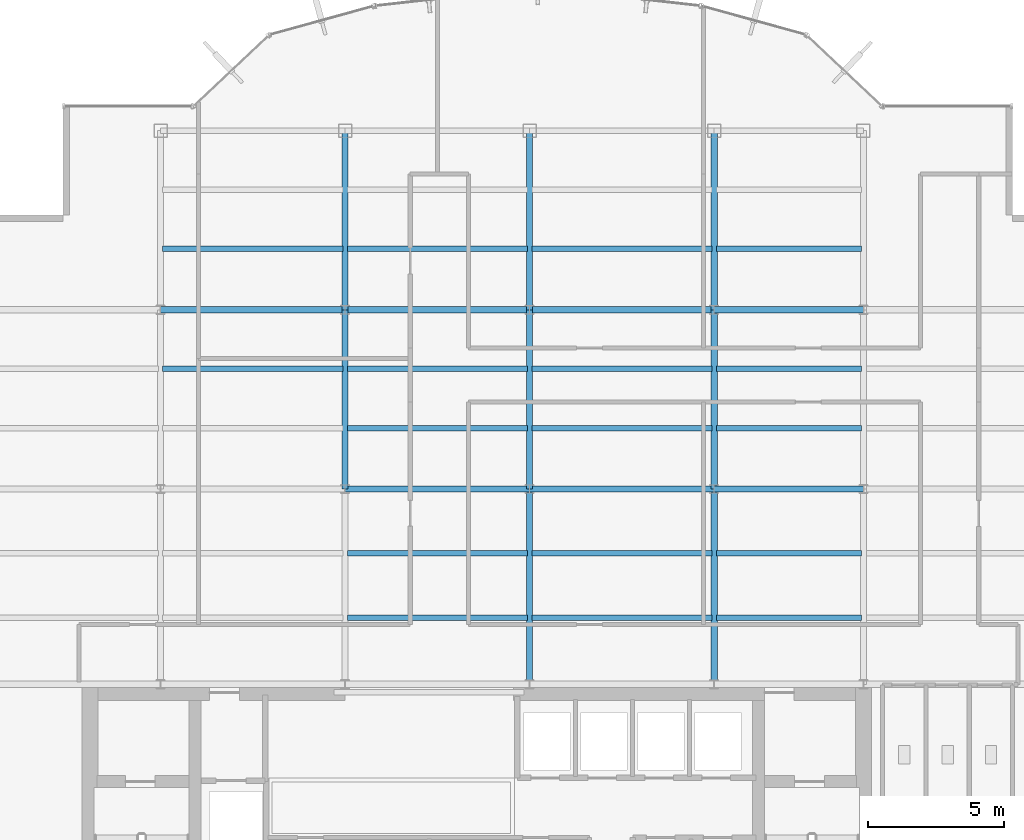
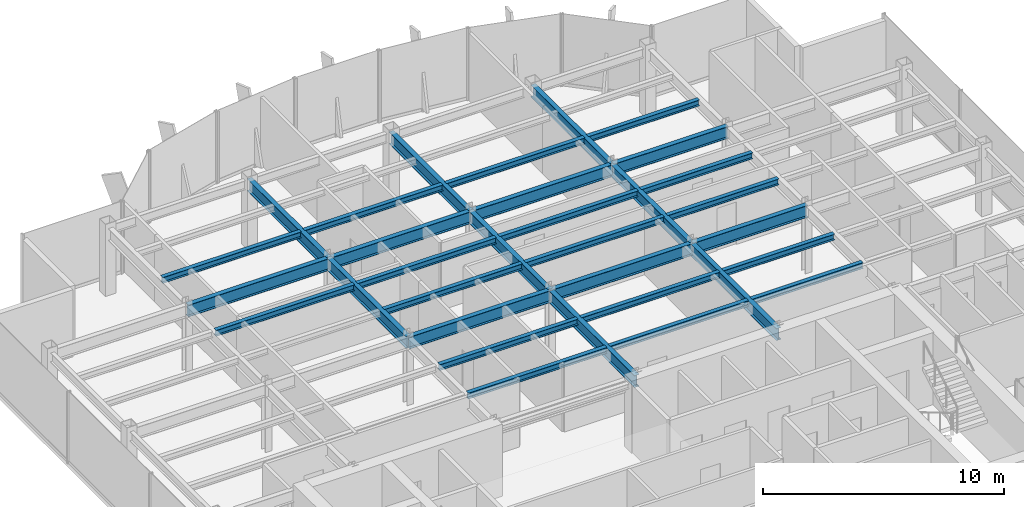
# One storey, part 8 of 22: 32 beams.
"""IFC4 building model written with IfcOpenShell, lengths in metres."""

from ifc_helpers import new_model, si_unit, derived_unit, direction, frame, origin, origin_2d, place, context, subcontext, project, spatial, i_section, extrude, source, transform, mapped, material, material_profile, profile_set, type_object, element, save


model = new_model("IFC4")

# Units and contexts
model_context = context("Model", 3, precision=1e-05, world=origin(), true_north=direction((0.0, 1.0)))
body_context = subcontext(model_context, "Body", "Model", "MODEL_VIEW")
ifc_project = project(units=[si_unit("LENGTHUNIT", "METRE"), si_unit("AREAUNIT", "SQUARE_METRE"), si_unit("VOLUMEUNIT", "CUBIC_METRE"), si_unit("PLANEANGLEUNIT", "RADIAN"), si_unit("MASSUNIT", "GRAM", prefix="KILO"), derived_unit("THERMALTRANSMITTANCEUNIT", [(si_unit("POWERUNIT", "WATT"), 1), (si_unit("LENGTHUNIT", "METRE"), -2), (si_unit("THERMODYNAMICTEMPERATUREUNIT", "KELVIN"), -1)])], contexts=[model_context])

# Site, building, storey
site_placement = place(None, origin())
site = spatial("IfcSite", under=ifc_project, at=site_placement, CompositionType="ELEMENT")
building_placement = place(site_placement, origin())
building = spatial("IfcBuilding", under=site, at=building_placement, Name="Skarnbrae Concourse Arena and Tower", CompositionType="ELEMENT")
storey_placement = place(building_placement, frame((0.0, 0.0, 280.699951171875)))
storey = spatial("IfcBuildingStorey", under=building, at=storey_placement, Name="L73", CompositionType="ELEMENT", Elevation=280.699951171875)

# Beams
ifc_material = material(Name="Steel CSA G40.21 350W", Category="steel")
ifc_material_profile_1 = material_profile(ifc_material, i_section(OverallWidth=0.22802734375, OverallDepth=0.60791015625, WebThickness=0.01123046875, FlangeThickness=0.017333984375, at=origin_2d()), Name="W610X113")
ifc_profile_set_1 = profile_set([ifc_material_profile_1], Name="Steel CSA G40.21 350W")
beam_type_1 = type_object("IfcBeamType", Name="BM-GIRD-W610X113", PredefinedType="BEAM", material=ifc_profile_set_1)
shared_shape_1 = source(origin(), body_context, "Body", "SweptSolid", [
    extrude(i_section(OverallWidth=0.22802734375, OverallDepth=0.60791015625, WebThickness=0.01123046875, FlangeThickness=0.017333984375, at=origin_2d()), origin(), (0.0, 0.0, 1.0), 6.60009765625),
])
for number, where, z_axis, x_axis, name in (
    (1, (14.39990234375, 21.199951171875, 3.095947265625), (0.0, 1.0, 0.0), (-1.0, 0.0, 0.0), "L73 Primary N-S girder X14.4-2"),
    (2, (21.199951171875, 21.199951171875, 3.095947265625), (0.0, 1.0, 0.0), (-1.0, 0.0, 0.0), "L73 Primary N-S girder X21.2-2"),
    (3, (28.0, 21.199951171875, 3.095947265625), (0.0, 1.0, 0.0), (-1.0, 0.0, 0.0), "L73 Primary N-S girder X28.0-2"),
):
    element("IfcBeam", number, at=place(storey_placement, frame(where, z_axis=z_axis, x_axis=x_axis)), inside=storey, type_object=beam_type_1, Name=name, PredefinedType="BEAM", context=body_context, shape_type="MappedRepresentation", body=[
        mapped(shared_shape_1, transform((0.0, 0.0, 0.0))),
    ])
shared_shape_2 = source(origin(), body_context, "Body", "SweptSolid", [
    extrude(i_section(OverallWidth=0.22802734375, OverallDepth=0.60791015625, WebThickness=0.01123046875, FlangeThickness=0.017333984375, at=origin_2d()), origin(), (0.0, 0.0, 1.0), 6.7998046875),
])
beam_placement = place(storey_placement, frame((7.60009765625, 27.800048828125, 3.095947265625), z_axis=(1.0, 0.0, 0.0), x_axis=(0.0, 1.0, 0.0)))
element("IfcBeam", 4, at=beam_placement, inside=storey, type_object=beam_type_1, Name="L73 Primary E-W girder Y27.8-2", PredefinedType="BEAM", context=body_context, shape_type="MappedRepresentation", body=[
    mapped(shared_shape_2, transform((0.0, 0.0, 0.0))),
])
shared_shape_3 = source(origin(), body_context, "Body", "SweptSolid", [
    extrude(i_section(OverallWidth=0.22802734375, OverallDepth=0.60791015625, WebThickness=0.01123046875, FlangeThickness=0.017333984375, at=origin_2d()), origin(), (0.0, 0.0, 1.0), 6.800048828125),
])
for number, where, z_axis, x_axis, name in (
    (5, (14.39990234375, 21.199951171875, 3.095947265625), (1.0, 0.0, 0.0), (0.0, 1.0, 0.0), "L73 Primary E-W girder Y21.2-3"),
    (6, (21.199951171875, 21.199951171875, 3.095947265625), (1.0, 0.0, 0.0), (0.0, 1.0, 0.0), "L73 Primary E-W girder Y21.2-4"),
    (7, (14.39990234375, 27.800048828125, 3.095947265625), (1.0, 0.0, 0.0), (0.0, 1.0, 0.0), "L73 Primary E-W girder Y27.8-3"),
    (8, (21.199951171875, 27.800048828125, 3.095947265625), (1.0, 0.0, 0.0), (0.0, 1.0, 0.0), "L73 Primary E-W girder Y27.8-4"),
):
    element("IfcBeam", number, at=place(storey_placement, frame(where, z_axis=z_axis, x_axis=x_axis)), inside=storey, type_object=beam_type_1, Name=name, PredefinedType="BEAM", context=body_context, shape_type="MappedRepresentation", body=[
        mapped(shared_shape_3, transform((0.0, 0.0, 0.0))),
    ])
shared_shape_4 = source(origin(), body_context, "Body", "SweptSolid", [
    extrude(i_section(OverallWidth=0.22802734375, OverallDepth=0.60791015625, WebThickness=0.01123046875, FlangeThickness=0.017333984375, at=origin_2d()), origin(), (0.0, 0.0, 1.0), 5.5),
])
for number, where, z_axis, x_axis, name in (
    (9, (28.0, 21.199951171875, 3.095947265625), (1.0, 0.0, 0.0), (0.0, 1.0, 0.0), "L73 Primary E-W girder Y21.2-5"),
    (10, (28.0, 27.800048828125, 3.095947265625), (1.0, 0.0, 0.0), (0.0, 1.0, 0.0), "L73 Primary E-W girder Y27.8-5"),
):
    element("IfcBeam", number, at=place(storey_placement, frame(where, z_axis=z_axis, x_axis=x_axis)), inside=storey, type_object=beam_type_1, Name=name, PredefinedType="BEAM", context=body_context, shape_type="MappedRepresentation", body=[
        mapped(shared_shape_4, transform((0.0, 0.0, 0.0))),
    ])
shared_shape_5 = source(origin(), body_context, "Body", "SweptSolid", [
    extrude(i_section(OverallWidth=0.22802734375, OverallDepth=0.60791015625, WebThickness=0.01123046875, FlangeThickness=0.017333984375, at=origin_2d()), origin(), (0.0, 0.0, 1.0), 7.199951171875),
])
for number, where, z_axis, x_axis, name in (
    (11, (21.199951171875, 14.0, 3.095947265625), (0.0, 1.0, 0.0), (-1.0, 0.0, 0.0), "L73 Primary N-S girder X21.2-1"),
    (12, (28.0, 14.0, 3.095947265625), (0.0, 1.0, 0.0), (-1.0, 0.0, 0.0), "L73 Primary N-S girder X28.0-1"),
):
    element("IfcBeam", number, at=place(storey_placement, frame(where, z_axis=z_axis, x_axis=x_axis)), inside=storey, type_object=beam_type_1, Name=name, PredefinedType="BEAM", context=body_context, shape_type="MappedRepresentation", body=[
        mapped(shared_shape_5, transform((0.0, 0.0, 0.0))),
    ])
shared_shape_6 = source(origin(), body_context, "Body", "SweptSolid", [
    extrude(i_section(OverallWidth=0.22802734375, OverallDepth=0.60791015625, WebThickness=0.01123046875, FlangeThickness=0.017333984375, at=origin_2d()), origin(), (0.0, 0.0, 1.0), 6.599853515625),
])
for number, where, z_axis, x_axis, name in (
    (13, (14.39990234375, 27.800048828125, 3.095947265625), (0.0, 1.0, 0.0), (-1.0, 0.0, 0.0), "L73 Primary N-S girder X14.4-3"),
    (14, (21.199951171875, 27.800048828125, 3.095947265625), (0.0, 1.0, 0.0), (-1.0, 0.0, 0.0), "L73 Primary N-S girder X21.2-3"),
    (15, (28.0, 27.800048828125, 3.095947265625), (0.0, 1.0, 0.0), (-1.0, 0.0, 0.0), "L73 Primary N-S girder X28.0-3"),
):
    element("IfcBeam", number, at=place(storey_placement, frame(where, z_axis=z_axis, x_axis=x_axis)), inside=storey, type_object=beam_type_1, Name=name, PredefinedType="BEAM", context=body_context, shape_type="MappedRepresentation", body=[
        mapped(shared_shape_6, transform((0.0, 0.0, 0.0))),
    ])
ifc_material_profile_2 = material_profile(ifc_material, i_section(OverallWidth=0.202880859375, OverallDepth=0.302978515625, WebThickness=0.007568359375, FlangeThickness=0.01318359375, at=origin_2d()), Name="W310X60")
ifc_profile_set_2 = profile_set([ifc_material_profile_2], Name="Steel CSA G40.21 350W")
beam_type_2 = type_object("IfcBeamType", Name="BM-JOIST-W310X60", PredefinedType="JOIST", material=ifc_profile_set_2)
shared_shape_7 = source(origin(), body_context, "Body", "SweptSolid", [
    extrude(i_section(OverallWidth=0.202880859375, OverallDepth=0.302978515625, WebThickness=0.007568359375, FlangeThickness=0.01318359375, at=origin_2d()), origin(), (0.0, 0.0, 1.0), 6.64013671875),
])
for number, where, z_axis, x_axis, name in (
    (16, (14.47998046875, 16.447998046875, 3.24853515625), (1.0, 0.0, 0.0), (0.0, 1.0, 0.0), "L73 Secondary floor joist 1.1.3"),
    (17, (14.47998046875, 18.823974609375, 3.24853515625), (1.0, 0.0, 0.0), (0.0, 1.0, 0.0), "L73 Secondary floor joist 1.2.3"),
    (18, (14.47998046875, 23.444091796875, 3.24853515625), (1.0, 0.0, 0.0), (0.0, 1.0, 0.0), "L73 Secondary floor joist 2.1.3"),
    (19, (7.679931640625, 25.6220703125, 3.24853515625), (1.0, 0.0, 0.0), (0.0, 1.0, 0.0), "L73 Secondary floor joist 2.2.2"),
    (20, (14.47998046875, 25.6220703125, 3.24853515625), (1.0, 0.0, 0.0), (0.0, 1.0, 0.0), "L73 Secondary floor joist 2.2.3"),
    (21, (7.679931640625, 30.0439453125, 3.24853515625), (1.0, 0.0, 0.0), (0.0, 1.0, 0.0), "L73 Secondary floor joist 3.1.1"),
    (22, (14.47998046875, 30.0439453125, 3.24853515625), (1.0, 0.0, 0.0), (0.0, 1.0, 0.0), "L73 Secondary floor joist 3.1.2"),
):
    element("IfcBeam", number, at=place(storey_placement, frame(where, z_axis=z_axis, x_axis=x_axis)), inside=storey, type_object=beam_type_2, Name=name, PredefinedType="JOIST", context=body_context, shape_type="MappedRepresentation", body=[
        mapped(shared_shape_7, transform((0.0, 0.0, 0.0))),
    ])
shared_shape_8 = source(origin(), body_context, "Body", "SweptSolid", [
    extrude(i_section(OverallWidth=0.202880859375, OverallDepth=0.302978515625, WebThickness=0.007568359375, FlangeThickness=0.01318359375, at=origin_2d()), origin(), (0.0, 0.0, 1.0), 6.639892578125),
])
for number, where, z_axis, x_axis, name in (
    (23, (21.280029296875, 16.447998046875, 3.24853515625), (1.0, 0.0, 0.0), (0.0, 1.0, 0.0), "L73 Secondary floor joist 1.1.4"),
    (24, (21.280029296875, 18.823974609375, 3.24853515625), (1.0, 0.0, 0.0), (0.0, 1.0, 0.0), "L73 Secondary floor joist 1.2.4"),
    (25, (21.280029296875, 23.444091796875, 3.24853515625), (1.0, 0.0, 0.0), (0.0, 1.0, 0.0), "L73 Secondary floor joist 2.1.4"),
    (26, (21.280029296875, 25.6220703125, 3.24853515625), (1.0, 0.0, 0.0), (0.0, 1.0, 0.0), "L73 Secondary floor joist 2.2.4"),
    (27, (21.280029296875, 30.0439453125, 3.24853515625), (1.0, 0.0, 0.0), (0.0, 1.0, 0.0), "L73 Secondary floor joist 3.1.3"),
):
    element("IfcBeam", number, at=place(storey_placement, frame(where, z_axis=z_axis, x_axis=x_axis)), inside=storey, type_object=beam_type_2, Name=name, PredefinedType="JOIST", context=body_context, shape_type="MappedRepresentation", body=[
        mapped(shared_shape_8, transform((0.0, 0.0, 0.0))),
    ])
shared_shape_9 = source(origin(), body_context, "Body", "SweptSolid", [
    extrude(i_section(OverallWidth=0.202880859375, OverallDepth=0.302978515625, WebThickness=0.007568359375, FlangeThickness=0.01318359375, at=origin_2d()), origin(), (0.0, 0.0, 1.0), 5.33984375),
])
for number, where, z_axis, x_axis, name in (
    (28, (28.080078125, 16.447998046875, 3.24853515625), (1.0, 0.0, 0.0), (0.0, 1.0, 0.0), "L73 Secondary floor joist 1.1.5"),
    (29, (28.080078125, 18.823974609375, 3.24853515625), (1.0, 0.0, 0.0), (0.0, 1.0, 0.0), "L73 Secondary floor joist 1.2.5"),
    (30, (28.080078125, 23.444091796875, 3.24853515625), (1.0, 0.0, 0.0), (0.0, 1.0, 0.0), "L73 Secondary floor joist 2.1.5"),
    (31, (28.080078125, 25.6220703125, 3.24853515625), (1.0, 0.0, 0.0), (0.0, 1.0, 0.0), "L73 Secondary floor joist 2.2.5"),
    (32, (28.080078125, 30.0439453125, 3.24853515625), (1.0, 0.0, 0.0), (0.0, 1.0, 0.0), "L73 Secondary floor joist 3.1.4"),
):
    element("IfcBeam", number, at=place(storey_placement, frame(where, z_axis=z_axis, x_axis=x_axis)), inside=storey, type_object=beam_type_2, Name=name, PredefinedType="JOIST", context=body_context, shape_type="MappedRepresentation", body=[
        mapped(shared_shape_9, transform((0.0, 0.0, 0.0))),
    ])

save(model, "model.ifc")
